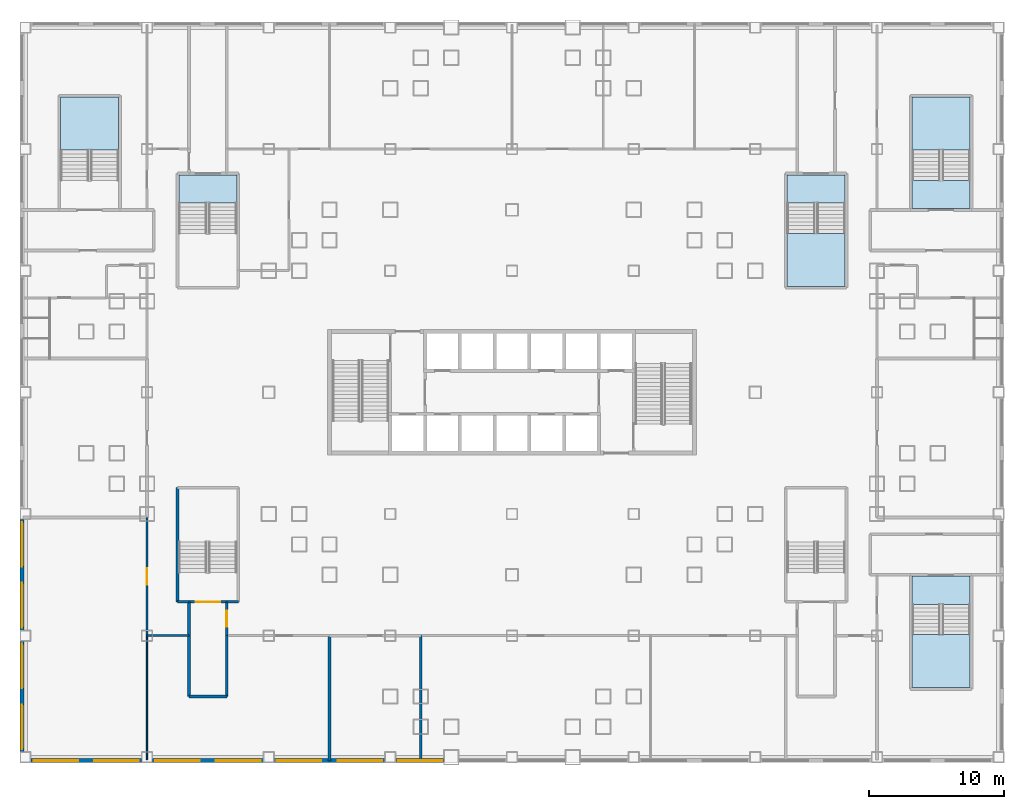
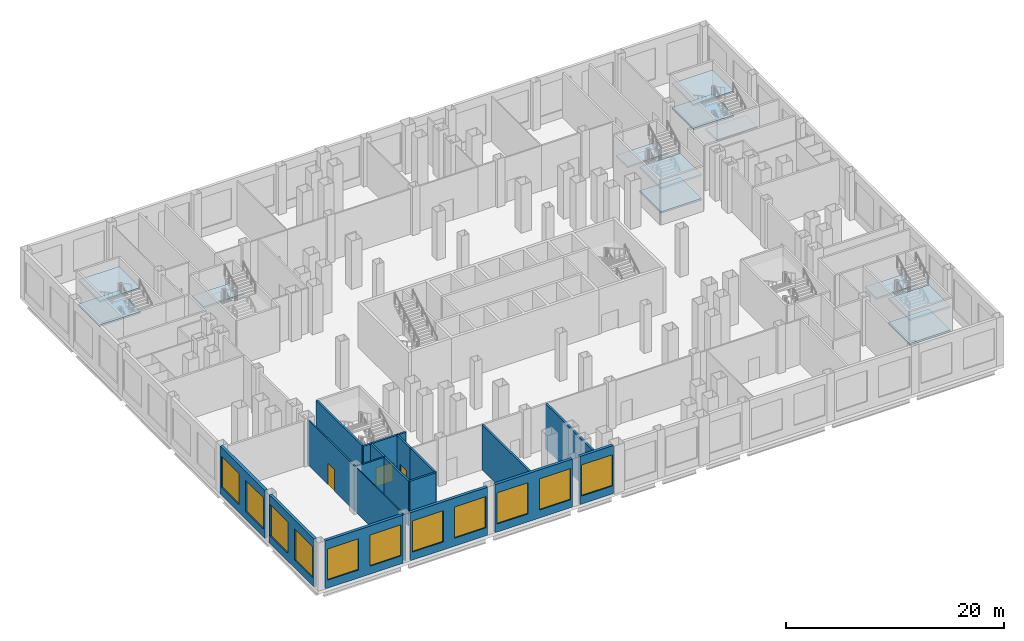
# One storey, part 2 of 26: 20 walls, 12 slabs, 11 windows, 3 doors, 14 openings, 5 elements without a shape of their own.
"""IFC4 building model written with IfcOpenShell, lengths in metres."""

from ifc_helpers import new_model, si_unit, direction, frame, frame_2d, origin, place, context, subcontext, project, spatial, polyline, rectangle, outline, extrude, material, layer, layer_set, type_object, element, fill, aggregate, save


model = new_model("IFC4")

# Units and contexts
model_context = context("Model", 3, precision=1e-05, world=origin(), true_north=direction((0.0, 1.0)))
body_context = subcontext(model_context, "Body", "Model", "MODEL_VIEW")
ifc_project = project(units=[si_unit("LENGTHUNIT", "METRE"), si_unit("AREAUNIT", "SQUARE_METRE"), si_unit("VOLUMEUNIT", "CUBIC_METRE"), si_unit("PLANEANGLEUNIT", "RADIAN"), si_unit("MASSUNIT", "GRAM", prefix="KILO")], contexts=[model_context])

# Site, building, storey
site_placement = place(None, origin())
site = spatial("IfcSite", under=ifc_project, at=site_placement, CompositionType="ELEMENT")
building_placement = place(site_placement, origin())
building = spatial("IfcBuilding", under=site, at=building_placement, Name="Caravel Reach Hotel and Residences", CompositionType="ELEMENT")
storey_placement = place(building_placement, frame((0.0, 0.0, 12.0)))
storey = spatial("IfcBuildingStorey", under=building, at=storey_placement, Name="L02", CompositionType="ELEMENT", Elevation=12.0)

# Stair, slab
ifc_material_1 = material(Name="Concrete C40", Category="concrete")
stair_type = type_object("IfcStairType", Name="Core stair", PredefinedType="HALF_TURN_STAIR", material=ifc_material_1)
stair_1_placement = place(storey_placement, origin())
stair_1 = element("IfcStair", 1, at=stair_1_placement, inside=storey, type_object=stair_type, Name="L02 Exit stair P1", PredefinedType="HALF_TURN_STAIR")
ifc_material_2 = material(Name="Concrete C40", Category="concrete")
ifc_layer_1 = layer(ifc_material_2, 0.199951171875)
ifc_layer_set_1 = layer_set([ifc_layer_1], Name="Core stair landing")
slab_type = type_object("IfcSlabType", Name="Core stair landing", PredefinedType="LANDING", material=ifc_layer_set_1)
slab_1_placement = place(storey_placement, frame((0.0, 0.0, 2.5)))
slab_1 = element("IfcSlab", 2, at=slab_1_placement, type_object=slab_type, Name="ST-P1 landing 2", PredefinedType="LANDING", context=body_context, shape_type="SweptSolid", body=[
    extrude(outline(polyline([(6.85009765625, 43.10009765625), (6.85009765625, 41.010009765625), (11.14990234375, 41.010009765625), (11.14990234375, 43.10009765625), (6.85009765625, 43.10009765625)])), origin(), (0.0, 0.0, 1.0), 0.199951171875),
])
aggregate(stair_1, [slab_1])

# Stair, slabs
stair_2_placement = place(storey_placement, origin())
stair_2 = element("IfcStair", 3, at=stair_2_placement, inside=storey, type_object=stair_type, Name="L02 Exit stair P2", PredefinedType="HALF_TURN_STAIR")
slab_2_placement = place(storey_placement, frame((0.0, 0.0, 1.14990234375)))
slab_2 = element("IfcSlab", 4, at=slab_2_placement, type_object=slab_type, Name="ST-P2 landing 1", PredefinedType="LANDING", context=body_context, shape_type="SweptSolid", body=[
    extrude(outline(polyline([(51.85009765625, 38.77001953125), (51.85009765625, 34.85009765625), (56.14990234375, 34.85009765625), (56.14990234375, 38.77001953125), (51.85009765625, 38.77001953125)])), origin(), (0.0, 0.0, 1.0), 0.2001953125),
])
slab_3_placement = place(storey_placement, frame((0.0, 0.0, 2.5)))
slab_3 = element("IfcSlab", 5, at=slab_3_placement, type_object=slab_type, Name="ST-P2 landing 2", PredefinedType="LANDING", context=body_context, shape_type="SweptSolid", body=[
    extrude(outline(polyline([(51.85009765625, 43.10009765625), (51.85009765625, 41.010009765625), (56.14990234375, 41.010009765625), (56.14990234375, 43.10009765625), (51.85009765625, 43.10009765625)])), origin(), (0.0, 0.0, 1.0), 0.199951171875),
])
slab_4_placement = place(storey_placement, frame((0.0, 0.0, 3.85009765625)))
slab_4 = element("IfcSlab", 6, at=slab_4_placement, type_object=slab_type, Name="ST-P2 landing 3", PredefinedType="LANDING", context=body_context, shape_type="SweptSolid", body=[
    extrude(outline(polyline([(51.85009765625, 38.77001953125), (51.85009765625, 34.85009765625), (56.14990234375, 34.85009765625), (56.14990234375, 38.77001953125), (51.85009765625, 38.77001953125)])), origin(), (0.0, 0.0, 1.0), 0.199951171875),
])
aggregate(stair_2, [slab_2, slab_3, slab_4])

stair_3_placement = place(storey_placement, origin())
stair_3 = element("IfcStair", 7, at=stair_3_placement, inside=storey, type_object=stair_type, Name="L02 Exit stair P5", PredefinedType="HALF_TURN_STAIR")
slab_5_placement = place(storey_placement, frame((0.0, 0.0, 1.14990234375)))
slab_5 = element("IfcSlab", 8, at=slab_5_placement, type_object=slab_type, Name="ST-P5 landing 1", PredefinedType="LANDING", context=body_context, shape_type="SweptSolid", body=[
    extrude(outline(polyline([(2.39990234375, 44.929931640625), (2.39990234375, 48.85009765625), (-1.89990234375, 48.85009765625), (-1.89990234375, 44.929931640625), (2.39990234375, 44.929931640625)])), origin(), (0.0, 0.0, 1.0), 0.2001953125),
])
slab_6_placement = place(storey_placement, frame((0.0, 0.0, 3.85009765625)))
slab_6 = element("IfcSlab", 9, at=slab_6_placement, type_object=slab_type, Name="ST-P5 landing 3", PredefinedType="LANDING", context=body_context, shape_type="SweptSolid", body=[
    extrude(outline(polyline([(2.39990234375, 44.929931640625), (2.39990234375, 48.85009765625), (-1.89990234375, 48.85009765625), (-1.89990234375, 44.929931640625), (2.39990234375, 44.929931640625)])), origin(), (0.0, 0.0, 1.0), 0.199951171875),
])
aggregate(stair_3, [slab_5, slab_6])

stair_4_placement = place(storey_placement, origin())
stair_4 = element("IfcStair", 10, at=stair_4_placement, inside=storey, type_object=stair_type, Name="L02 Exit stair P6", PredefinedType="HALF_TURN_STAIR")
slab_7_placement = place(storey_placement, frame((0.0, 0.0, 1.14990234375)))
slab_7 = element("IfcSlab", 11, at=slab_7_placement, type_object=slab_type, Name="ST-P6 landing 1", PredefinedType="LANDING", context=body_context, shape_type="SweptSolid", body=[
    extrude(outline(polyline([(65.39990234375, 44.929931640625), (65.39990234375, 48.85009765625), (61.10009765625, 48.85009765625), (61.10009765625, 44.929931640625), (65.39990234375, 44.929931640625)])), origin(), (0.0, 0.0, 1.0), 0.2001953125),
])
slab_8_placement = place(storey_placement, frame((0.0, 0.0, 2.5)))
slab_8 = element("IfcSlab", 12, at=slab_8_placement, type_object=slab_type, Name="ST-P6 landing 2", PredefinedType="LANDING", context=body_context, shape_type="SweptSolid", body=[
    extrude(outline(polyline([(65.39990234375, 40.60009765625), (65.39990234375, 42.68994140625), (61.10009765625, 42.68994140625), (61.10009765625, 40.60009765625), (65.39990234375, 40.60009765625)])), origin(), (0.0, 0.0, 1.0), 0.199951171875),
])
slab_9_placement = place(storey_placement, frame((0.0, 0.0, 3.85009765625)))
slab_9 = element("IfcSlab", 13, at=slab_9_placement, type_object=slab_type, Name="ST-P6 landing 3", PredefinedType="LANDING", context=body_context, shape_type="SweptSolid", body=[
    extrude(outline(polyline([(65.39990234375, 44.929931640625), (65.39990234375, 48.85009765625), (61.10009765625, 48.85009765625), (61.10009765625, 44.929931640625), (65.39990234375, 44.929931640625)])), origin(), (0.0, 0.0, 1.0), 0.199951171875),
])
aggregate(stair_4, [slab_7, slab_8, slab_9])

stair_5_placement = place(storey_placement, origin())
stair_5 = element("IfcStair", 14, at=stair_5_placement, inside=storey, type_object=stair_type, Name="L02 Exit stair P7", PredefinedType="HALF_TURN_STAIR")
slab_10_placement = place(storey_placement, frame((0.0, 0.0, 1.14990234375)))
slab_10 = element("IfcSlab", 15, at=slab_10_placement, type_object=slab_type, Name="ST-P7 landing 1", PredefinedType="LANDING", context=body_context, shape_type="SweptSolid", body=[
    extrude(outline(polyline([(61.10009765625, 9.070068359375), (61.10009765625, 5.14990234375), (65.39990234375, 5.14990234375), (65.39990234375, 9.070068359375), (61.10009765625, 9.070068359375)])), origin(), (0.0, 0.0, 1.0), 0.2001953125),
])
slab_11_placement = place(storey_placement, frame((0.0, 0.0, 2.5)))
slab_11 = element("IfcSlab", 16, at=slab_11_placement, type_object=slab_type, Name="ST-P7 landing 2", PredefinedType="LANDING", context=body_context, shape_type="SweptSolid", body=[
    extrude(outline(polyline([(61.10009765625, 13.39990234375), (61.10009765625, 11.31005859375), (65.39990234375, 11.31005859375), (65.39990234375, 13.39990234375), (61.10009765625, 13.39990234375)])), origin(), (0.0, 0.0, 1.0), 0.199951171875),
])
slab_12_placement = place(storey_placement, frame((0.0, 0.0, 3.85009765625)))
slab_12 = element("IfcSlab", 17, at=slab_12_placement, type_object=slab_type, Name="ST-P7 landing 3", PredefinedType="LANDING", context=body_context, shape_type="SweptSolid", body=[
    extrude(outline(polyline([(61.10009765625, 9.070068359375), (61.10009765625, 5.14990234375), (65.39990234375, 5.14990234375), (65.39990234375, 9.070068359375), (61.10009765625, 9.070068359375)])), origin(), (0.0, 0.0, 1.0), 0.199951171875),
])
aggregate(stair_5, [slab_10, slab_11, slab_12])

# Wall
ifc_material_3 = material(Name="Autoclaved aerated block wall")
ifc_layer_2 = layer(ifc_material_3, 0.199951171875)
ifc_layer_set_2 = layer_set([ifc_layer_2], Name="Compartment wall 200 mm EI 120")
wall_type_1 = type_object("IfcWallType", Name="Compartment wall 200 mm EI 120", PredefinedType="PARTITIONING", material=ifc_layer_set_2)
wall_1_placement = place(storey_placement, frame((7.60009765625, 4.5, 0.0), z_axis=(0.0, 0.0, 1.0), x_axis=(1.0, 0.0, 0.0)))
element("IfcWall", 18, at=wall_1_placement, inside=storey, type_object=wall_type_1, Name="L02 wall w047", PredefinedType="PARTITIONING", context=body_context, shape_type="SweptSolid", body=[
    extrude(rectangle(XDim=2.7998046875, YDim=0.199951171875, at=frame_2d((1.39990234375, 0.0))), origin(), (0.0, 0.0, 1.0), 5.050048828125),
])

# Wall, opening, door
wall_2_placement = place(storey_placement, frame((10.39990234375, 9.0, 0.0), z_axis=(0.0, 0.0, 1.0), x_axis=(0.0, 1.0, 0.0)))
wall_2 = element("IfcWall", 19, at=wall_2_placement, inside=storey, type_object=wall_type_1, Name="L02 wall w060", PredefinedType="PARTITIONING", context=body_context, shape_type="SweptSolid", body=[
    extrude(rectangle(XDim=2.5, YDim=0.199951171875, at=frame_2d((1.25, 0.0))), origin(), (0.0, 0.0, 1.0), 5.050048828125),
])
opening_1_placement = place(wall_2_placement, frame((0.64990234375, 0.0, 0.0)))
opening_1 = element("IfcOpeningElement", 20, at=opening_1_placement, cuts=wall_2, Name="Opening D02-018", PredefinedType="OPENING", context=body_context, shape_type="SweptSolid", body=[
    extrude(rectangle(XDim=1.199951171875, YDim=2.10009765625, at=frame_2d((0.60009765625, 1.050048828125))), frame((0.0, 0.10986328125, 0.0), z_axis=(0.0, -1.0, 0.0), x_axis=(1.0, 0.0, 0.0)), (0.0, 0.0, 1.0), 0.219970703125),
])
ifc_material_4 = material(Name="Steel fire door leaf", Category="steel")
door_type_1 = type_object("IfcDoorType", Name="Fire lobby door 1200 x 2100 EI 90", OperationType="SINGLE_SWING_LEFT", PredefinedType="DOOR", material=ifc_material_4)
door_1_placement = place(opening_1_placement, origin())
door_1 = element("IfcDoor", 21, at=door_1_placement, inside=storey, type_object=door_type_1, Name="door D02-018", OperationType="SINGLE_SWING_RIGHT", OverallHeight=2.10009765625, OverallWidth=1.199951171875, PredefinedType="DOOR", context=body_context, shape_type="SweptSolid", body=[
    extrude(rectangle(XDim=1.199951171875, YDim=2.10009765625, at=frame_2d((0.60009765625, 1.050048828125))), frame((0.0, 0.02490234375, 0.0), z_axis=(0.0, -1.0, 0.0), x_axis=(1.0, 0.0, 0.0)), (0.0, 0.0, 1.0), 0.050048828125),
])
fill(opening_1, door_1)

# Walls
wall_3_placement = place(storey_placement, frame((10.39990234375, 4.5, 0.0), z_axis=(0.0, 0.0, 1.0), x_axis=(0.0, 1.0, 0.0)))
element("IfcWall", 22, at=wall_3_placement, inside=storey, type_object=wall_type_1, Name="L02 wall w061", PredefinedType="PARTITIONING", context=body_context, shape_type="SweptSolid", body=[
    extrude(rectangle(XDim=4.5, YDim=0.199951171875, at=frame_2d((2.25, 0.0))), origin(), (0.0, 0.0, 1.0), 5.050048828125),
])
wall_4_placement = place(storey_placement, frame((18.0, -0.2900390625, 0.0), z_axis=(0.0, 0.0, 1.0), x_axis=(0.0, 1.0, 0.0)))
element("IfcWall", 23, at=wall_4_placement, inside=storey, type_object=wall_type_1, Name="L02 wall w062", PredefinedType="PARTITIONING", context=body_context, shape_type="SweptSolid", body=[
    extrude(rectangle(XDim=9.2900390625, YDim=0.199951171875, at=frame_2d((4.64501953125, 0.0))), origin(), (0.0, 0.0, 1.0), 5.050048828125),
])
wall_5_placement = place(storey_placement, frame((24.75, -0.1201171875, 0.0), z_axis=(0.0, 0.0, 1.0), x_axis=(0.0, 1.0, 0.0)))
element("IfcWall", 24, at=wall_5_placement, inside=storey, type_object=wall_type_1, Name="L02 wall w063", PredefinedType="PARTITIONING", context=body_context, shape_type="SweptSolid", body=[
    extrude(rectangle(XDim=9.1201171875, YDim=0.199951171875, at=frame_2d((4.56005859375, 0.0))), origin(), (0.0, 0.0, 1.0), 5.050048828125),
])
wall_6_placement = place(storey_placement, frame((7.60009765625, 9.0, 0.0), z_axis=(0.0, 0.0, 1.0), x_axis=(0.0, 1.0, 0.0)))
element("IfcWall", 25, at=wall_6_placement, inside=storey, type_object=wall_type_1, Name="L02 wall w080", PredefinedType="PARTITIONING", context=body_context, shape_type="SweptSolid", body=[
    extrude(rectangle(XDim=2.5, YDim=0.199951171875, at=frame_2d((1.25, 0.0))), origin(), (0.0, 0.0, 1.0), 5.050048828125),
])
wall_7_placement = place(storey_placement, frame((7.60009765625, 4.5, 0.0), z_axis=(0.0, 0.0, 1.0), x_axis=(0.0, 1.0, 0.0)))
element("IfcWall", 26, at=wall_7_placement, inside=storey, type_object=wall_type_1, Name="L02 wall w081", PredefinedType="PARTITIONING", context=body_context, shape_type="SweptSolid", body=[
    extrude(rectangle(XDim=4.5, YDim=0.199951171875, at=frame_2d((2.25, 0.0))), origin(), (0.0, 0.0, 1.0), 5.050048828125),
])
ifc_material_5 = material(Name="Gypsum board on steel stud, fire-rated", Category="steel")
ifc_layer_3 = layer(ifc_material_5, 0.14990234375)
ifc_layer_set_3 = layer_set([ifc_layer_3], Name="Corridor wall 150 mm EI 60")
wall_type_2 = type_object("IfcWallType", Name="Corridor wall 150 mm EI 60", PredefinedType="PARTITIONING", material=ifc_layer_set_3)
wall_8_placement = place(storey_placement, frame((4.5, 9.0, 0.0), z_axis=(0.0, 0.0, 1.0), x_axis=(1.0, 0.0, 0.0)))
element("IfcWall", 27, at=wall_8_placement, inside=storey, type_object=wall_type_2, Name="L02 wall w012", PredefinedType="PARTITIONING", context=body_context, shape_type="SweptSolid", body=[
    extrude(rectangle(XDim=3.10009765625, YDim=0.14990234375, at=frame_2d((1.550048828125, 0.0))), origin(), (0.0, 0.0, 1.0), 5.050048828125),
])

# Wall, opening, door
wall_9_placement = place(storey_placement, frame((4.5, 9.0, 0.0), z_axis=(0.0, 0.0, 1.0), x_axis=(0.0, 1.0, 0.0)))
wall_9 = element("IfcWall", 28, at=wall_9_placement, inside=storey, type_object=wall_type_2, Name="L02 wall w018", PredefinedType="PARTITIONING", context=body_context, shape_type="SweptSolid", body=[
    extrude(rectangle(XDim=8.75, YDim=0.14990234375, at=frame_2d((4.375, 0.0))), origin(), (0.0, 0.0, 1.0), 5.050048828125),
])
opening_2_placement = place(wall_9_placement, frame((3.77490234375, 0.0, 0.0)))
opening_2 = element("IfcOpeningElement", 29, at=opening_2_placement, cuts=wall_9, Name="Opening D02-028", PredefinedType="OPENING", context=body_context, shape_type="SweptSolid", body=[
    extrude(rectangle(XDim=1.199951171875, YDim=2.39990234375, at=frame_2d((0.60009765625, 1.199951171875))), frame((0.0, 0.0849609375, 0.0), z_axis=(0.0, -1.0, 0.0), x_axis=(1.0, 0.0, 0.0)), (0.0, 0.0, 1.0), 0.169921875),
])
ifc_material_6 = material(Name="Timber and steel door leaf", Category="steel")
door_type_2 = type_object("IfcDoorType", Name="Glazed door 1200 x 2400", OperationType="SINGLE_SWING_LEFT", PredefinedType="DOOR", material=ifc_material_6)
door_2_placement = place(opening_2_placement, origin())
door_2 = element("IfcDoor", 30, at=door_2_placement, inside=storey, type_object=door_type_2, Name="door D02-028", OperationType="SINGLE_SWING_LEFT", OverallHeight=2.39990234375, OverallWidth=1.199951171875, PredefinedType="DOOR", context=body_context, shape_type="SweptSolid", body=[
    extrude(rectangle(XDim=1.199951171875, YDim=2.39990234375, at=frame_2d((0.60009765625, 1.199951171875))), frame((0.0, 0.02490234375, 0.0), z_axis=(0.0, -1.0, 0.0), x_axis=(1.0, 0.0, 0.0)), (0.0, 0.0, 1.0), 0.050048828125),
])
fill(opening_2, door_2)

# Wall, openings, windows
ifc_material_7 = material(Name="Insulated wall, stone cladding", Category="masonry")
ifc_layer_4 = layer(ifc_material_7, 0.300048828125)
ifc_layer_set_4 = layer_set([ifc_layer_4], Name="EW2 Podium stone-clad wall")
wall_type_3 = type_object("IfcWallType", Name="EW2 Podium stone-clad wall", PredefinedType="SOLIDWALL", material=ifc_layer_set_4)
wall_10_placement = place(storey_placement, frame((-4.75, 17.60009765625, 0.0), z_axis=(0.0, 0.0, 1.0), x_axis=(0.0, -1.0, 0.0)))
wall_10 = element("IfcWall", 31, at=wall_10_placement, inside=storey, type_object=wall_type_3, Name="External wall L02 W3.5", PredefinedType="SOLIDWALL", context=body_context, shape_type="SweptSolid", body=[
    extrude(rectangle(XDim=8.2001953125, YDim=0.300048828125, at=frame_2d((4.10009765625, 0.0))), origin(), (0.0, 0.0, 1.0), 5.39990234375),
])
opening_3_placement = place(wall_10_placement, frame((0.199951171875, 0.0, 0.89990234375)))
opening_3 = element("IfcOpeningElement", 32, at=opening_3_placement, cuts=wall_10, Name="Opening WN30", PredefinedType="OPENING", context=body_context, shape_type="SweptSolid", body=[
    extrude(rectangle(XDim=3.300048828125, YDim=3.5, at=frame_2d((1.64990234375, 1.75))), frame((0.0, 0.159912109375, 0.0), z_axis=(0.0, -1.0, 0.0), x_axis=(1.0, 0.0, 0.0)), (0.0, 0.0, 1.0), 0.320068359375),
])
opening_4_placement = place(wall_10_placement, frame((4.699951171875, 0.0, 0.89990234375)))
opening_4 = element("IfcOpeningElement", 33, at=opening_4_placement, cuts=wall_10, Name="Opening WN30", PredefinedType="OPENING", context=body_context, shape_type="SweptSolid", body=[
    extrude(rectangle(XDim=3.300048828125, YDim=3.5, at=frame_2d((1.64990234375, 1.75))), frame((0.0, 0.159912109375, 0.0), z_axis=(0.0, -1.0, 0.0), x_axis=(1.0, 0.0, 0.0)), (0.0, 0.0, 1.0), 0.320068359375),
])
ifc_material_8 = material(Name="Dark low-e glazing in black aluminium frame", Category="aluminium")
window_type = type_object("IfcWindowType", Name="Podium window 3300 x 3500", PartitioningType="SINGLE_PANEL", PredefinedType="WINDOW", material=ifc_material_8)
window_1_placement = place(opening_3_placement, origin())
window_1 = element("IfcWindow", 34, at=window_1_placement, inside=storey, type_object=window_type, Name="Window L02 W3.5.1", OverallHeight=3.5, OverallWidth=3.300048828125, PartitioningType="SINGLE_PANEL", PredefinedType="WINDOW", context=body_context, shape_type="SweptSolid", body=[
    extrude(rectangle(XDim=3.300048828125, YDim=3.5, at=frame_2d((1.64990234375, 1.75))), frame((0.0, 0.030029296875, 0.0), z_axis=(0.0, -1.0, 0.0), x_axis=(1.0, 0.0, 0.0)), (0.0, 0.0, 1.0), 0.06005859375),
])
fill(opening_3, window_1)
window_2_placement = place(opening_4_placement, origin())
window_2 = element("IfcWindow", 35, at=window_2_placement, inside=storey, type_object=window_type, Name="Window L02 W3.5.2", OverallHeight=3.5, OverallWidth=3.300048828125, PartitioningType="SINGLE_PANEL", PredefinedType="WINDOW", context=body_context, shape_type="SweptSolid", body=[
    extrude(rectangle(XDim=3.300048828125, YDim=3.5, at=frame_2d((1.64990234375, 1.75))), frame((0.0, 0.030029296875, 0.0), z_axis=(0.0, -1.0, 0.0), x_axis=(1.0, 0.0, 0.0)), (0.0, 0.0, 1.0), 0.06005859375),
])
fill(opening_4, window_2)

wall_11_placement = place(storey_placement, frame((-4.75, 8.60009765625, 0.0), z_axis=(0.0, 0.0, 1.0), x_axis=(0.0, -1.0, 0.0)))
wall_11 = element("IfcWall", 36, at=wall_11_placement, inside=storey, type_object=wall_type_3, Name="External wall L02 W3.6", PredefinedType="SOLIDWALL", context=body_context, shape_type="SweptSolid", body=[
    extrude(rectangle(XDim=8.2001953125, YDim=0.300048828125, at=frame_2d((4.10009765625, 0.0))), origin(), (0.0, 0.0, 1.0), 5.39990234375),
])
opening_5_placement = place(wall_11_placement, frame((0.199951171875, 0.0, 0.89990234375)))
opening_5 = element("IfcOpeningElement", 37, at=opening_5_placement, cuts=wall_11, Name="Opening WN30", PredefinedType="OPENING", context=body_context, shape_type="SweptSolid", body=[
    extrude(rectangle(XDim=3.300048828125, YDim=3.5, at=frame_2d((1.64990234375, 1.75))), frame((0.0, 0.159912109375, 0.0), z_axis=(0.0, -1.0, 0.0), x_axis=(1.0, 0.0, 0.0)), (0.0, 0.0, 1.0), 0.320068359375),
])
opening_6_placement = place(wall_11_placement, frame((4.699951171875, 0.0, 0.89990234375)))
opening_6 = element("IfcOpeningElement", 38, at=opening_6_placement, cuts=wall_11, Name="Opening WN30", PredefinedType="OPENING", context=body_context, shape_type="SweptSolid", body=[
    extrude(rectangle(XDim=3.300048828125, YDim=3.5, at=frame_2d((1.64990234375, 1.75))), frame((0.0, 0.159912109375, 0.0), z_axis=(0.0, -1.0, 0.0), x_axis=(1.0, 0.0, 0.0)), (0.0, 0.0, 1.0), 0.320068359375),
])
window_3_placement = place(opening_5_placement, origin())
window_3 = element("IfcWindow", 39, at=window_3_placement, inside=storey, type_object=window_type, Name="Window L02 W3.6.1", OverallHeight=3.5, OverallWidth=3.300048828125, PartitioningType="SINGLE_PANEL", PredefinedType="WINDOW", context=body_context, shape_type="SweptSolid", body=[
    extrude(rectangle(XDim=3.300048828125, YDim=3.5, at=frame_2d((1.64990234375, 1.75))), frame((0.0, 0.030029296875, 0.0), z_axis=(0.0, -1.0, 0.0), x_axis=(1.0, 0.0, 0.0)), (0.0, 0.0, 1.0), 0.06005859375),
])
fill(opening_5, window_3)
window_4_placement = place(opening_6_placement, origin())
window_4 = element("IfcWindow", 40, at=window_4_placement, inside=storey, type_object=window_type, Name="Window L02 W3.6.2", OverallHeight=3.5, OverallWidth=3.300048828125, PartitioningType="SINGLE_PANEL", PredefinedType="WINDOW", context=body_context, shape_type="SweptSolid", body=[
    extrude(rectangle(XDim=3.300048828125, YDim=3.5, at=frame_2d((1.64990234375, 1.75))), frame((0.0, 0.030029296875, 0.0), z_axis=(0.0, -1.0, 0.0), x_axis=(1.0, 0.0, 0.0)), (0.0, 0.0, 1.0), 0.06005859375),
])
fill(opening_6, window_4)

wall_12_placement = place(storey_placement, frame((-4.10009765625, -0.25, 0.0), z_axis=(0.0, 0.0, 1.0), x_axis=(1.0, 0.0, 0.0)))
wall_12 = element("IfcWall", 41, at=wall_12_placement, inside=storey, type_object=wall_type_3, Name="External wall L02 S4.1", PredefinedType="SOLIDWALL", context=body_context, shape_type="SweptSolid", body=[
    extrude(rectangle(XDim=8.2001953125, YDim=0.300048828125, at=frame_2d((4.10009765625, 0.0))), origin(), (0.0, 0.0, 1.0), 5.39990234375),
])
opening_7_placement = place(wall_12_placement, frame((0.199951171875, 0.0, 0.89990234375)))
opening_7 = element("IfcOpeningElement", 42, at=opening_7_placement, cuts=wall_12, Name="Opening WN30", PredefinedType="OPENING", context=body_context, shape_type="SweptSolid", body=[
    extrude(rectangle(XDim=3.300048828125, YDim=3.5, at=frame_2d((1.64990234375, 1.75))), frame((0.0, 0.159912109375, 0.0), z_axis=(0.0, -1.0, 0.0), x_axis=(1.0, 0.0, 0.0)), (0.0, 0.0, 1.0), 0.320068359375),
])
opening_8_placement = place(wall_12_placement, frame((4.699951171875, 0.0, 0.89990234375)))
opening_8 = element("IfcOpeningElement", 43, at=opening_8_placement, cuts=wall_12, Name="Opening WN30", PredefinedType="OPENING", context=body_context, shape_type="SweptSolid", body=[
    extrude(rectangle(XDim=3.300048828125, YDim=3.5, at=frame_2d((1.64990234375, 1.75))), frame((0.0, 0.159912109375, 0.0), z_axis=(0.0, -1.0, 0.0), x_axis=(1.0, 0.0, 0.0)), (0.0, 0.0, 1.0), 0.320068359375),
])
window_5_placement = place(opening_7_placement, origin())
window_5 = element("IfcWindow", 44, at=window_5_placement, inside=storey, type_object=window_type, Name="Window L02 S4.1.1", OverallHeight=3.5, OverallWidth=3.300048828125, PartitioningType="SINGLE_PANEL", PredefinedType="WINDOW", context=body_context, shape_type="SweptSolid", body=[
    extrude(rectangle(XDim=3.300048828125, YDim=3.5, at=frame_2d((1.64990234375, 1.75))), frame((0.0, 0.030029296875, 0.0), z_axis=(0.0, -1.0, 0.0), x_axis=(1.0, 0.0, 0.0)), (0.0, 0.0, 1.0), 0.06005859375),
])
fill(opening_7, window_5)
window_6_placement = place(opening_8_placement, origin())
window_6 = element("IfcWindow", 45, at=window_6_placement, inside=storey, type_object=window_type, Name="Window L02 S4.1.2", OverallHeight=3.5, OverallWidth=3.300048828125, PartitioningType="SINGLE_PANEL", PredefinedType="WINDOW", context=body_context, shape_type="SweptSolid", body=[
    extrude(rectangle(XDim=3.300048828125, YDim=3.5, at=frame_2d((1.64990234375, 1.75))), frame((0.0, 0.030029296875, 0.0), z_axis=(0.0, -1.0, 0.0), x_axis=(1.0, 0.0, 0.0)), (0.0, 0.0, 1.0), 0.06005859375),
])
fill(opening_8, window_6)

wall_13_placement = place(storey_placement, frame((4.89990234375, -0.25, 0.0), z_axis=(0.0, 0.0, 1.0), x_axis=(1.0, 0.0, 0.0)))
wall_13 = element("IfcWall", 46, at=wall_13_placement, inside=storey, type_object=wall_type_3, Name="External wall L02 S4.2", PredefinedType="SOLIDWALL", context=body_context, shape_type="SweptSolid", body=[
    extrude(rectangle(XDim=8.2001953125, YDim=0.300048828125, at=frame_2d((4.10009765625, 0.0))), origin(), (0.0, 0.0, 1.0), 5.39990234375),
])
opening_9_placement = place(wall_13_placement, frame((0.199951171875, 0.0, 0.89990234375)))
opening_9 = element("IfcOpeningElement", 47, at=opening_9_placement, cuts=wall_13, Name="Opening WN30", PredefinedType="OPENING", context=body_context, shape_type="SweptSolid", body=[
    extrude(rectangle(XDim=3.300048828125, YDim=3.5, at=frame_2d((1.64990234375, 1.75))), frame((0.0, 0.159912109375, 0.0), z_axis=(0.0, -1.0, 0.0), x_axis=(1.0, 0.0, 0.0)), (0.0, 0.0, 1.0), 0.320068359375),
])
opening_10_placement = place(wall_13_placement, frame((4.699951171875, 0.0, 0.89990234375)))
opening_10 = element("IfcOpeningElement", 48, at=opening_10_placement, cuts=wall_13, Name="Opening WN30", PredefinedType="OPENING", context=body_context, shape_type="SweptSolid", body=[
    extrude(rectangle(XDim=3.300048828125, YDim=3.5, at=frame_2d((1.64990234375, 1.75))), frame((0.0, 0.159912109375, 0.0), z_axis=(0.0, -1.0, 0.0), x_axis=(1.0, 0.0, 0.0)), (0.0, 0.0, 1.0), 0.320068359375),
])
window_7_placement = place(opening_9_placement, origin())
window_7 = element("IfcWindow", 49, at=window_7_placement, inside=storey, type_object=window_type, Name="Window L02 S4.2.1", OverallHeight=3.5, OverallWidth=3.300048828125, PartitioningType="SINGLE_PANEL", PredefinedType="WINDOW", context=body_context, shape_type="SweptSolid", body=[
    extrude(rectangle(XDim=3.300048828125, YDim=3.5, at=frame_2d((1.64990234375, 1.75))), frame((0.0, 0.030029296875, 0.0), z_axis=(0.0, -1.0, 0.0), x_axis=(1.0, 0.0, 0.0)), (0.0, 0.0, 1.0), 0.06005859375),
])
fill(opening_9, window_7)
window_8_placement = place(opening_10_placement, origin())
window_8 = element("IfcWindow", 50, at=window_8_placement, inside=storey, type_object=window_type, Name="Window L02 S4.2.2", OverallHeight=3.5, OverallWidth=3.300048828125, PartitioningType="SINGLE_PANEL", PredefinedType="WINDOW", context=body_context, shape_type="SweptSolid", body=[
    extrude(rectangle(XDim=3.300048828125, YDim=3.5, at=frame_2d((1.64990234375, 1.75))), frame((0.0, 0.030029296875, 0.0), z_axis=(0.0, -1.0, 0.0), x_axis=(1.0, 0.0, 0.0)), (0.0, 0.0, 1.0), 0.06005859375),
])
fill(opening_10, window_8)

wall_14_placement = place(storey_placement, frame((13.89990234375, -0.25, 0.0), z_axis=(0.0, 0.0, 1.0), x_axis=(1.0, 0.0, 0.0)))
wall_14 = element("IfcWall", 51, at=wall_14_placement, inside=storey, type_object=wall_type_3, Name="External wall L02 S4.3", PredefinedType="SOLIDWALL", context=body_context, shape_type="SweptSolid", body=[
    extrude(rectangle(XDim=8.2001953125, YDim=0.300048828125, at=frame_2d((4.10009765625, 0.0))), origin(), (0.0, 0.0, 1.0), 5.39990234375),
])
opening_11_placement = place(wall_14_placement, frame((0.199951171875, 0.0, 0.89990234375)))
opening_11 = element("IfcOpeningElement", 52, at=opening_11_placement, cuts=wall_14, Name="Opening WN30", PredefinedType="OPENING", context=body_context, shape_type="SweptSolid", body=[
    extrude(rectangle(XDim=3.300048828125, YDim=3.5, at=frame_2d((1.64990234375, 1.75))), frame((0.0, 0.159912109375, 0.0), z_axis=(0.0, -1.0, 0.0), x_axis=(1.0, 0.0, 0.0)), (0.0, 0.0, 1.0), 0.320068359375),
])
opening_12_placement = place(wall_14_placement, frame((4.699951171875, 0.0, 0.89990234375)))
opening_12 = element("IfcOpeningElement", 53, at=opening_12_placement, cuts=wall_14, Name="Opening WN30", PredefinedType="OPENING", context=body_context, shape_type="SweptSolid", body=[
    extrude(rectangle(XDim=3.300048828125, YDim=3.5, at=frame_2d((1.64990234375, 1.75))), frame((0.0, 0.159912109375, 0.0), z_axis=(0.0, -1.0, 0.0), x_axis=(1.0, 0.0, 0.0)), (0.0, 0.0, 1.0), 0.320068359375),
])
window_9_placement = place(opening_11_placement, origin())
window_9 = element("IfcWindow", 54, at=window_9_placement, inside=storey, type_object=window_type, Name="Window L02 S4.3.1", OverallHeight=3.5, OverallWidth=3.300048828125, PartitioningType="SINGLE_PANEL", PredefinedType="WINDOW", context=body_context, shape_type="SweptSolid", body=[
    extrude(rectangle(XDim=3.300048828125, YDim=3.5, at=frame_2d((1.64990234375, 1.75))), frame((0.0, 0.030029296875, 0.0), z_axis=(0.0, -1.0, 0.0), x_axis=(1.0, 0.0, 0.0)), (0.0, 0.0, 1.0), 0.06005859375),
])
fill(opening_11, window_9)
window_10_placement = place(opening_12_placement, origin())
window_10 = element("IfcWindow", 55, at=window_10_placement, inside=storey, type_object=window_type, Name="Window L02 S4.3.2", OverallHeight=3.5, OverallWidth=3.300048828125, PartitioningType="SINGLE_PANEL", PredefinedType="WINDOW", context=body_context, shape_type="SweptSolid", body=[
    extrude(rectangle(XDim=3.300048828125, YDim=3.5, at=frame_2d((1.64990234375, 1.75))), frame((0.0, 0.030029296875, 0.0), z_axis=(0.0, -1.0, 0.0), x_axis=(1.0, 0.0, 0.0)), (0.0, 0.0, 1.0), 0.06005859375),
])
fill(opening_12, window_10)

# Wall, opening, window
wall_15_placement = place(storey_placement, frame((22.89990234375, -0.25, 0.0), z_axis=(0.0, 0.0, 1.0), x_axis=(1.0, 0.0, 0.0)))
wall_15 = element("IfcWall", 56, at=wall_15_placement, inside=storey, type_object=wall_type_3, Name="External wall L02 S4.4", PredefinedType="SOLIDWALL", context=body_context, shape_type="SweptSolid", body=[
    extrude(rectangle(XDim=3.550048828125, YDim=0.300048828125, at=frame_2d((1.77490234375, 0.0))), origin(), (0.0, 0.0, 1.0), 5.39990234375),
])
opening_13_placement = place(wall_15_placement, frame((0.14990234375, 0.0, 0.89990234375)))
opening_13 = element("IfcOpeningElement", 57, at=opening_13_placement, cuts=wall_15, Name="Opening WN30", PredefinedType="OPENING", context=body_context, shape_type="SweptSolid", body=[
    extrude(rectangle(XDim=3.300048828125, YDim=3.5, at=frame_2d((1.64990234375, 1.75))), frame((0.0, 0.159912109375, 0.0), z_axis=(0.0, -1.0, 0.0), x_axis=(1.0, 0.0, 0.0)), (0.0, 0.0, 1.0), 0.320068359375),
])
window_11_placement = place(opening_13_placement, origin())
window_11 = element("IfcWindow", 58, at=window_11_placement, inside=storey, type_object=window_type, Name="Window L02 S4.4.1", OverallHeight=3.5, OverallWidth=3.300048828125, PartitioningType="SINGLE_PANEL", PredefinedType="WINDOW", context=body_context, shape_type="SweptSolid", body=[
    extrude(rectangle(XDim=3.300048828125, YDim=3.5, at=frame_2d((1.64990234375, 1.75))), frame((0.0, 0.030029296875, 0.0), z_axis=(0.0, -1.0, 0.0), x_axis=(1.0, 0.0, 0.0)), (0.0, 0.0, 1.0), 0.06005859375),
])
fill(opening_13, window_11)

# Walls
ifc_material_9 = material(Name="Gypsum board on steel stud", Category="steel")
ifc_layer_5 = layer(ifc_material_9, 0.10009765625)
ifc_layer_set_5 = layer_set([ifc_layer_5], Name="Partition 100 mm")
wall_type_4 = type_object("IfcWallType", Name="Partition 100 mm", PredefinedType="PARTITIONING", material=ifc_layer_set_5)
wall_16_placement = place(storey_placement, frame((4.5, -0.18994140625, 0.0), z_axis=(0.0, 0.0, 1.0), x_axis=(0.0, 1.0, 0.0)))
element("IfcWall", 59, at=wall_16_placement, inside=storey, type_object=wall_type_4, Name="L02 wall w033", PredefinedType="PARTITIONING", context=body_context, shape_type="SweptSolid", body=[
    extrude(rectangle(XDim=9.18994140625, YDim=0.10009765625, at=frame_2d((4.594970703125, 0.0))), origin(), (0.0, 0.0, 1.0), 5.050048828125),
])
ifc_material_10 = material(Name="Concrete C60", Category="concrete")
ifc_layer_6 = layer(ifc_material_10, 0.199951171875)
ifc_layer_set_6 = layer_set([ifc_layer_6], Name="Stair enclosure wall 200 mm EI 120")
wall_type_5 = type_object("IfcWallType", Name="Stair enclosure wall 200 mm EI 120", PredefinedType="SHEAR", material=ifc_layer_set_6)
for number, where, z_axis, x_axis, name in (
    (60, (6.75, 11.5, 0.0), (0.0, 0.0, 1.0), (1.0, 0.0, 0.0), "L02 wall w082"),
    (61, (10.39990234375, 11.5, 0.0), (0.0, 0.0, 1.0), (1.0, 0.0, 0.0), "L02 wall w083"),
):
    element("IfcWall", number, at=place(storey_placement, frame(where, z_axis=z_axis, x_axis=x_axis)), inside=storey, type_object=wall_type_5, Name=name, PredefinedType="SHEAR", context=body_context, shape_type="SweptSolid", body=[
        extrude(rectangle(XDim=0.85009765625, YDim=0.199951171875, at=frame_2d((0.425048828125, 0.0))), origin(), (0.0, 0.0, 1.0), 5.050048828125),
    ])

# Wall, opening, door
wall_17_placement = place(storey_placement, frame((7.60009765625, 11.5, 0.0), z_axis=(0.0, 0.0, 1.0), x_axis=(1.0, 0.0, 0.0)))
wall_17 = element("IfcWall", 62, at=wall_17_placement, inside=storey, type_object=wall_type_5, Name="L02 wall w084", PredefinedType="SHEAR", context=body_context, shape_type="SweptSolid", body=[
    extrude(rectangle(XDim=2.7998046875, YDim=0.199951171875, at=frame_2d((1.39990234375, 0.0))), origin(), (0.0, 0.0, 1.0), 5.050048828125),
])
opening_14_placement = place(wall_17_placement, frame((0.5, 0.0, 0.0)))
opening_14 = element("IfcOpeningElement", 63, at=opening_14_placement, cuts=wall_17, Name="Opening D02-019", PredefinedType="OPENING", context=body_context, shape_type="SweptSolid", body=[
    extrude(rectangle(XDim=1.800048828125, YDim=2.10009765625, at=frame_2d((0.89990234375, 1.050048828125))), frame((0.0, 0.10986328125, 0.0), z_axis=(0.0, -1.0, 0.0), x_axis=(1.0, 0.0, 0.0)), (0.0, 0.0, 1.0), 0.219970703125),
])
ifc_material_11 = material(Name="Steel fire door leaf", Category="steel")
door_type_3 = type_object("IfcDoorType", Name="Stair door pair 1800 x 2100 EI 90", OperationType="DOUBLE_DOOR_SINGLE_SWING", PredefinedType="DOOR", material=ifc_material_11)
door_3_placement = place(opening_14_placement, origin())
door_3 = element("IfcDoor", 64, at=door_3_placement, inside=storey, type_object=door_type_3, Name="door D02-019", OperationType="DOUBLE_DOOR_SINGLE_SWING", OverallHeight=2.10009765625, OverallWidth=1.800048828125, PredefinedType="DOOR", context=body_context, shape_type="SweptSolid", body=[
    extrude(rectangle(XDim=1.800048828125, YDim=2.10009765625, at=frame_2d((0.89990234375, 1.050048828125))), frame((0.0, 0.02490234375, 0.0), z_axis=(0.0, -1.0, 0.0), x_axis=(1.0, 0.0, 0.0)), (0.0, 0.0, 1.0), 0.050048828125),
])
fill(opening_14, door_3)

# Wall
wall_18_placement = place(storey_placement, frame((6.75, 11.5, 0.0), z_axis=(0.0, 0.0, 1.0), x_axis=(0.0, 1.0, 0.0)))
element("IfcWall", 65, at=wall_18_placement, inside=storey, type_object=wall_type_5, Name="L02 wall w114", PredefinedType="SHEAR", context=body_context, shape_type="SweptSolid", body=[
    extrude(rectangle(XDim=8.449951171875, YDim=0.199951171875, at=frame_2d((4.22509765625, 0.0))), origin(), (0.0, 0.0, 1.0), 5.050048828125),
])

save(model, "model.ifc")
